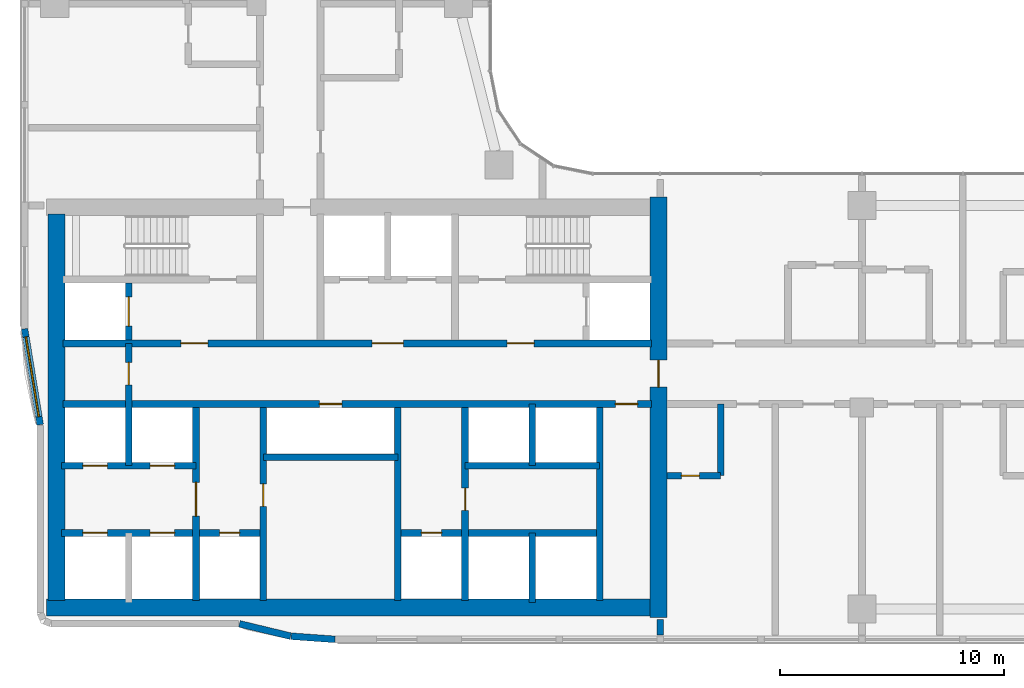
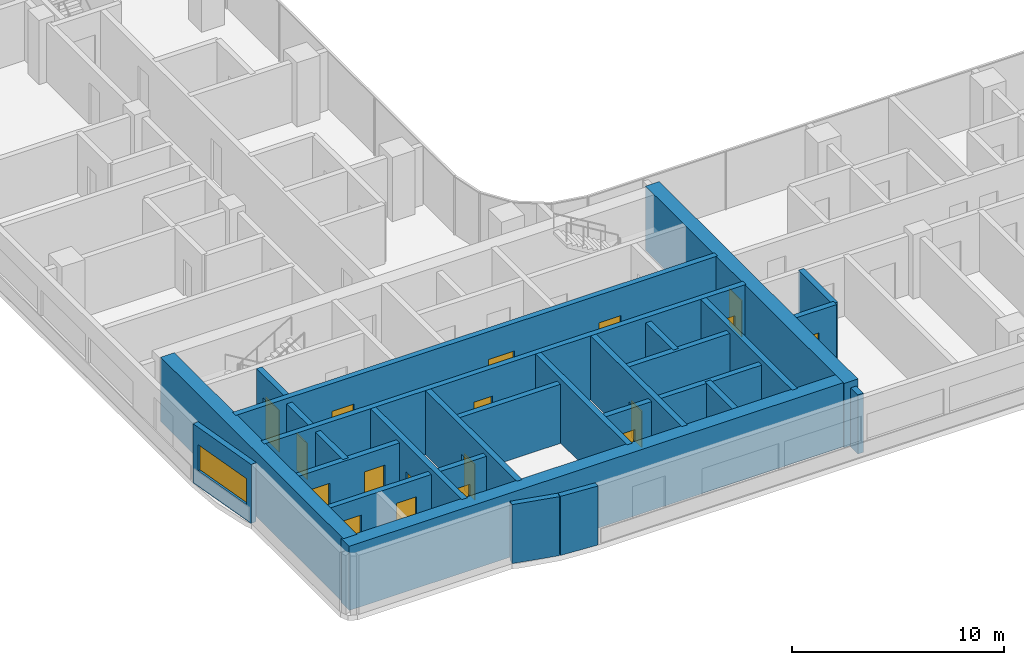
# One storey, part 9 of 22: 25 walls, 18 doors, 1 window, 19 openings.
"""IFC4 building model written with IfcOpenShell, lengths in metres."""

from ifc_helpers import new_model, si_unit, direction, frame, frame_2d, origin, place, context, subcontext, project, spatial, rectangle, extrude, material, layer, layer_set, type_object, element, fill, save


model = new_model("IFC4")

# Units and contexts
model_context = context("Model", 3, precision=1e-05, world=origin(), true_north=direction((0.0, 1.0)))
body_context = subcontext(model_context, "Body", "Model", "MODEL_VIEW")
ifc_project = project(units=[si_unit("LENGTHUNIT", "METRE"), si_unit("AREAUNIT", "SQUARE_METRE"), si_unit("VOLUMEUNIT", "CUBIC_METRE"), si_unit("PLANEANGLEUNIT", "RADIAN"), si_unit("MASSUNIT", "GRAM", prefix="KILO")], contexts=[model_context])

# Site, building, storey
site_placement = place(None, origin())
site = spatial("IfcSite", under=ifc_project, at=site_placement, CompositionType="ELEMENT")
building_placement = place(site_placement, origin())
building = spatial("IfcBuilding", under=site, at=building_placement, Name="Ogive Portal Towers", CompositionType="ELEMENT")
storey_placement = place(building_placement, frame((0.0, 0.0, 113.0)))
storey = spatial("IfcBuildingStorey", under=building, at=storey_placement, Name="L27", CompositionType="ELEMENT", Elevation=113.0)

# Wall, opening, door
ifc_material_1 = material(Name="Concrete C60/75", Category="concrete")
ifc_layer_1 = layer(ifc_material_1, 0.300048828125)
ifc_layer_set_1 = layer_set([ifc_layer_1], Name="CORE WALL 300 C60")
wall_type_1 = type_object("IfcWallType", Name="CORE WALL 300 C60", PredefinedType="SHEAR", material=ifc_layer_set_1)
wall_1_placement = place(storey_placement, frame((37.800048828125, 21.875, 0.0), z_axis=(0.0, 0.0, 1.0), x_axis=(0.0, 1.0, 0.0)))
wall_1 = element("IfcWall", 1, at=wall_1_placement, inside=storey, type_object=wall_type_1, Name="Core wall X1 L27", PredefinedType="SHEAR", context=body_context, shape_type="SweptSolid", body=[
    extrude(rectangle(XDim=8.625, YDim=0.300048828125, at=frame_2d((4.3125, 0.0))), origin(), (0.0, 0.0, 1.0), 3.699951171875),
])
opening_1_placement = place(wall_1_placement, frame((3.77490234375, 0.0, 0.0)))
opening_1 = element("IfcOpeningElement", 2, at=opening_1_placement, cuts=wall_1, Name="Opening D09-001", PredefinedType="OPENING", context=body_context, shape_type="SweptSolid", body=[
    extrude(rectangle(XDim=1.5, YDim=2.10009765625, at=frame_2d((0.75, 1.050048828125))), frame((0.0, 0.16015625, 0.0), z_axis=(0.0, -1.0, 0.0), x_axis=(1.0, 0.0, 0.0)), (0.0, 0.0, 1.0), 0.320068359375),
])
ifc_material_2 = material(Name="Steel fire door", Category="steel")
door_type_1 = type_object("IfcDoorType", Name="DT-SWING-1500x2100-FD90S", OperationType="SINGLE_SWING_LEFT", PredefinedType="DOOR", material=ifc_material_2)
door_1_placement = place(opening_1_placement, origin())
door_1 = element("IfcDoor", 3, at=door_1_placement, inside=storey, type_object=door_type_1, Name="Door D09-001", OperationType="SINGLE_SWING_LEFT", OverallHeight=2.10009765625, OverallWidth=1.5, PredefinedType="DOOR", context=body_context, shape_type="SweptSolid", body=[
    extrude(rectangle(XDim=1.5, YDim=2.10009765625, at=frame_2d((0.75, 1.050048828125))), frame((0.0, 0.02490234375, 0.0), z_axis=(0.0, -1.0, 0.0), x_axis=(1.0, 0.0, 0.0)), (0.0, 0.0, 1.0), 0.050048828125),
])
fill(opening_1, door_1)

wall_2_placement = place(storey_placement, frame((40.800048828125, 21.875, 0.0), z_axis=(0.0, 0.0, 1.0), x_axis=(0.0, 1.0, 0.0)))
wall_2 = element("IfcWall", 4, at=wall_2_placement, inside=storey, type_object=wall_type_1, Name="Core wall X2 L27", PredefinedType="SHEAR", context=body_context, shape_type="SweptSolid", body=[
    extrude(rectangle(XDim=8.625, YDim=0.300048828125, at=frame_2d((4.3125, 0.0))), origin(), (0.0, 0.0, 1.0), 3.699951171875),
])
opening_2_placement = place(wall_2_placement, frame((4.212890625, 0.0, 0.0)))
opening_2 = element("IfcOpeningElement", 5, at=opening_2_placement, cuts=wall_2, Name="Opening D09-021", PredefinedType="OPENING", context=body_context, shape_type="SweptSolid", body=[
    extrude(rectangle(XDim=1.0, YDim=2.10009765625, at=frame_2d((0.5, 1.050048828125))), frame((0.0, 0.16015625, 0.0), z_axis=(0.0, -1.0, 0.0), x_axis=(1.0, 0.0, 0.0)), (0.0, 0.0, 1.0), 0.320068359375),
])
door_type_2 = type_object("IfcDoorType", Name="DT-SWING-1000x2100-FD90S", OperationType="SINGLE_SWING_LEFT", PredefinedType="DOOR", material=ifc_material_2)
door_2_placement = place(opening_2_placement, origin())
door_2 = element("IfcDoor", 6, at=door_2_placement, inside=storey, type_object=door_type_2, Name="Door D09-021", OperationType="SINGLE_SWING_RIGHT", OverallHeight=2.10009765625, OverallWidth=1.0, PredefinedType="DOOR", context=body_context, shape_type="SweptSolid", body=[
    extrude(rectangle(XDim=1.0, YDim=2.10009765625, at=frame_2d((0.5, 1.050048828125))), frame((0.0, 0.02490234375, 0.0), z_axis=(0.0, -1.0, 0.0), x_axis=(1.0, 0.0, 0.0)), (0.0, 0.0, 1.0), 0.050048828125),
])
fill(opening_2, door_2)

# Wall
wall_3_placement = place(storey_placement, frame((46.800048828125, 21.875, 0.0), z_axis=(0.0, 0.0, 1.0), x_axis=(0.0, 1.0, 0.0)))
element("IfcWall", 7, at=wall_3_placement, inside=storey, type_object=wall_type_1, Name="Core wall X3 L27", PredefinedType="SHEAR", context=body_context, shape_type="SweptSolid", body=[
    extrude(rectangle(XDim=8.625, YDim=0.300048828125, at=frame_2d((4.3125, 0.0))), origin(), (0.0, 0.0, 1.0), 3.699951171875),
])

# Wall, opening, door
wall_4_placement = place(storey_placement, frame((49.800048828125, 21.875, 0.0), z_axis=(0.0, 0.0, 1.0), x_axis=(0.0, 1.0, 0.0)))
wall_4 = element("IfcWall", 8, at=wall_4_placement, inside=storey, type_object=wall_type_1, Name="Core wall X4 L27", PredefinedType="SHEAR", context=body_context, shape_type="SweptSolid", body=[
    extrude(rectangle(XDim=8.625, YDim=0.300048828125, at=frame_2d((4.3125, 0.0))), origin(), (0.0, 0.0, 1.0), 3.699951171875),
])
opening_3_placement = place(wall_4_placement, frame((4.02490234375, 0.0, 0.0)))
opening_3 = element("IfcOpeningElement", 9, at=opening_3_placement, cuts=wall_4, Name="Opening D09-022", PredefinedType="OPENING", context=body_context, shape_type="SweptSolid", body=[
    extrude(rectangle(XDim=1.0, YDim=2.10009765625, at=frame_2d((0.5, 1.050048828125))), frame((0.0, 0.16015625, 0.0), z_axis=(0.0, -1.0, 0.0), x_axis=(1.0, 0.0, 0.0)), (0.0, 0.0, 1.0), 0.320068359375),
])
door_3_placement = place(opening_3_placement, origin())
door_3 = element("IfcDoor", 10, at=door_3_placement, inside=storey, type_object=door_type_2, Name="Door D09-022", OperationType="SINGLE_SWING_LEFT", OverallHeight=2.10009765625, OverallWidth=1.0, PredefinedType="DOOR", context=body_context, shape_type="SweptSolid", body=[
    extrude(rectangle(XDim=1.0, YDim=2.10009765625, at=frame_2d((0.5, 1.050048828125))), frame((0.0, 0.02490234375, 0.0), z_axis=(0.0, -1.0, 0.0), x_axis=(1.0, 0.0, 0.0)), (0.0, 0.0, 1.0), 0.050048828125),
])
fill(opening_3, door_3)

# Wall
wall_5_placement = place(storey_placement, frame((55.800048828125, 21.875, 0.0), z_axis=(0.0, 0.0, 1.0), x_axis=(0.0, 1.0, 0.0)))
element("IfcWall", 11, at=wall_5_placement, inside=storey, type_object=wall_type_1, Name="Core wall X5 L27", PredefinedType="SHEAR", context=body_context, shape_type="SweptSolid", body=[
    extrude(rectangle(XDim=8.625, YDim=0.300048828125, at=frame_2d((4.3125, 0.0))), origin(), (0.0, 0.0, 1.0), 3.699951171875),
])

# Wall, openings, doors
wall_6_placement = place(storey_placement, frame((31.875, 30.64990234375, 0.0), z_axis=(0.0, 0.0, 1.0), x_axis=(1.0, 0.0, 0.0)))
wall_6 = element("IfcWall", 12, at=wall_6_placement, inside=storey, type_object=wall_type_1, Name="Core wall Y1 L27", PredefinedType="SHEAR", context=body_context, shape_type="SweptSolid", body=[
    extrude(rectangle(XDim=26.25, YDim=0.300048828125, at=frame_2d((13.125, 0.0))), origin(), (0.0, 0.0, 1.0), 3.699951171875),
])
opening_4_placement = place(wall_6_placement, frame((24.625, 0.0, 0.0)))
opening_4 = element("IfcOpeningElement", 13, at=opening_4_placement, cuts=wall_6, Name="Opening D09-009", PredefinedType="OPENING", context=body_context, shape_type="SweptSolid", body=[
    extrude(rectangle(XDim=1.0, YDim=2.10009765625, at=frame_2d((0.5, 1.050048828125))), frame((0.0, 0.16015625, 0.0), z_axis=(0.0, -1.0, 0.0), x_axis=(1.0, 0.0, 0.0)), (0.0, 0.0, 1.0), 0.320068359375),
])
opening_5_placement = place(wall_6_placement, frame((11.425048828125, 0.0, 0.0)))
opening_5 = element("IfcOpeningElement", 14, at=opening_5_placement, cuts=wall_6, Name="Opening D09-020", PredefinedType="OPENING", context=body_context, shape_type="SweptSolid", body=[
    extrude(rectangle(XDim=1.0, YDim=2.10009765625, at=frame_2d((0.5, 1.050048828125))), frame((0.0, 0.16015625, 0.0), z_axis=(0.0, -1.0, 0.0), x_axis=(1.0, 0.0, 0.0)), (0.0, 0.0, 1.0), 0.320068359375),
])
door_4_placement = place(opening_4_placement, origin())
door_4 = element("IfcDoor", 15, at=door_4_placement, inside=storey, type_object=door_type_2, Name="Door D09-009", OperationType="SINGLE_SWING_LEFT", OverallHeight=2.10009765625, OverallWidth=1.0, PredefinedType="DOOR", context=body_context, shape_type="SweptSolid", body=[
    extrude(rectangle(XDim=1.0, YDim=2.10009765625, at=frame_2d((0.5, 1.050048828125))), frame((0.0, 0.02490234375, 0.0), z_axis=(0.0, -1.0, 0.0), x_axis=(1.0, 0.0, 0.0)), (0.0, 0.0, 1.0), 0.050048828125),
])
fill(opening_4, door_4)
door_5_placement = place(opening_5_placement, origin())
door_5 = element("IfcDoor", 16, at=door_5_placement, inside=storey, type_object=door_type_2, Name="Riser access door D09-020", OperationType="SINGLE_SWING_LEFT", OverallHeight=2.10009765625, OverallWidth=1.0, PredefinedType="DOOR", context=body_context, shape_type="SweptSolid", body=[
    extrude(rectangle(XDim=1.0, YDim=2.10009765625, at=frame_2d((0.5, 1.050048828125))), frame((0.0, 0.02490234375, 0.0), z_axis=(0.0, -1.0, 0.0), x_axis=(1.0, 0.0, 0.0)), (0.0, 0.0, 1.0), 0.050048828125),
])
fill(opening_5, door_5)

wall_7_placement = place(storey_placement, frame((31.875, 33.35009765625, 0.0), z_axis=(0.0, 0.0, 1.0), x_axis=(1.0, 0.0, 0.0)))
wall_7 = element("IfcWall", 17, at=wall_7_placement, inside=storey, type_object=wall_type_1, Name="Core wall Y2 L27", PredefinedType="SHEAR", context=body_context, shape_type="SweptSolid", body=[
    extrude(rectangle(XDim=26.25, YDim=0.300048828125, at=frame_2d((13.125, 0.0))), origin(), (0.0, 0.0, 1.0), 3.699951171875),
])
opening_6_placement = place(wall_7_placement, frame((13.77490234375, 0.0, 0.0)))
opening_6 = element("IfcOpeningElement", 18, at=opening_6_placement, cuts=wall_7, Name="Opening D09-002", PredefinedType="OPENING", context=body_context, shape_type="SweptSolid", body=[
    extrude(rectangle(XDim=1.39990234375, YDim=2.10009765625, at=frame_2d((0.699951171875, 1.050048828125))), frame((0.0, 0.16015625, 0.0), z_axis=(0.0, -1.0, 0.0), x_axis=(1.0, 0.0, 0.0)), (0.0, 0.0, 1.0), 0.320068359375),
])
opening_7_placement = place(wall_7_placement, frame((5.25, 0.0, 0.0)))
opening_7 = element("IfcOpeningElement", 19, at=opening_7_placement, cuts=wall_7, Name="Opening D09-003", PredefinedType="OPENING", context=body_context, shape_type="SweptSolid", body=[
    extrude(rectangle(XDim=1.199951171875, YDim=2.10009765625, at=frame_2d((0.60009765625, 1.050048828125))), frame((0.0, 0.16015625, 0.0), z_axis=(0.0, -1.0, 0.0), x_axis=(1.0, 0.0, 0.0)), (0.0, 0.0, 1.0), 0.320068359375),
])
opening_8_placement = place(wall_7_placement, frame((19.800048828125, 0.0, 0.0)))
opening_8 = element("IfcOpeningElement", 20, at=opening_8_placement, cuts=wall_7, Name="Opening D09-004", PredefinedType="OPENING", context=body_context, shape_type="SweptSolid", body=[
    extrude(rectangle(XDim=1.199951171875, YDim=2.10009765625, at=frame_2d((0.60009765625, 1.050048828125))), frame((0.0, 0.16015625, 0.0), z_axis=(0.0, -1.0, 0.0), x_axis=(1.0, 0.0, 0.0)), (0.0, 0.0, 1.0), 0.320068359375),
])
door_type_3 = type_object("IfcDoorType", Name="DT-SWING-1200x2100-FD90S", OperationType="SINGLE_SWING_LEFT", PredefinedType="DOOR", material=ifc_material_2)
door_6_placement = place(opening_7_placement, origin())
door_6 = element("IfcDoor", 21, at=door_6_placement, inside=storey, type_object=door_type_3, Name="Door D09-003", OperationType="SINGLE_SWING_LEFT", OverallHeight=2.10009765625, OverallWidth=1.199951171875, PredefinedType="DOOR", context=body_context, shape_type="SweptSolid", body=[
    extrude(rectangle(XDim=1.199951171875, YDim=2.10009765625, at=frame_2d((0.60009765625, 1.050048828125))), frame((0.0, 0.02490234375, 0.0), z_axis=(0.0, -1.0, 0.0), x_axis=(1.0, 0.0, 0.0)), (0.0, 0.0, 1.0), 0.050048828125),
])
fill(opening_7, door_6)
door_7_placement = place(opening_8_placement, origin())
door_7 = element("IfcDoor", 22, at=door_7_placement, inside=storey, type_object=door_type_3, Name="Door D09-004", OperationType="SINGLE_SWING_RIGHT", OverallHeight=2.10009765625, OverallWidth=1.199951171875, PredefinedType="DOOR", context=body_context, shape_type="SweptSolid", body=[
    extrude(rectangle(XDim=1.199951171875, YDim=2.10009765625, at=frame_2d((0.60009765625, 1.050048828125))), frame((0.0, 0.02490234375, 0.0), z_axis=(0.0, -1.0, 0.0), x_axis=(1.0, 0.0, 0.0)), (0.0, 0.0, 1.0), 0.050048828125),
])
fill(opening_8, door_7)
door_type_4 = type_object("IfcDoorType", Name="DT-SWING-1400x2100-FD90S", OperationType="SINGLE_SWING_LEFT", PredefinedType="DOOR", material=ifc_material_2)
door_8_placement = place(opening_6_placement, origin())
door_8 = element("IfcDoor", 23, at=door_8_placement, inside=storey, type_object=door_type_4, Name="Door D09-002", OperationType="SINGLE_SWING_RIGHT", OverallHeight=2.10009765625, OverallWidth=1.39990234375, PredefinedType="DOOR", context=body_context, shape_type="SweptSolid", body=[
    extrude(rectangle(XDim=1.39990234375, YDim=2.10009765625, at=frame_2d((0.699951171875, 1.050048828125))), frame((0.0, 0.02490234375, 0.0), z_axis=(0.0, -1.0, 0.0), x_axis=(1.0, 0.0, 0.0)), (0.0, 0.0, 1.0), 0.050048828125),
])
fill(opening_6, door_8)

# Wall, opening, door
wall_8_placement = place(storey_placement, frame((34.800048828125, 33.5, 0.0), z_axis=(0.0, 0.0, 1.0), x_axis=(0.0, 1.0, 0.0)))
wall_8 = element("IfcWall", 24, at=wall_8_placement, inside=storey, type_object=wall_type_1, Name="Core wall X8 L27", PredefinedType="SHEAR", context=body_context, shape_type="SweptSolid", body=[
    extrude(rectangle(XDim=2.550048828125, YDim=0.300048828125, at=frame_2d((1.27490234375, 0.0))), origin(), (0.0, 0.0, 1.0), 3.699951171875),
])
opening_9_placement = place(wall_8_placement, frame((0.625, 0.0, 0.0)))
opening_9 = element("IfcOpeningElement", 25, at=opening_9_placement, cuts=wall_8, Name="Opening D09-018", PredefinedType="OPENING", context=body_context, shape_type="SweptSolid", body=[
    extrude(rectangle(XDim=1.300048828125, YDim=2.39990234375, at=frame_2d((0.64990234375, 1.199951171875))), frame((0.0, 0.16015625, 0.0), z_axis=(0.0, -1.0, 0.0), x_axis=(1.0, 0.0, 0.0)), (0.0, 0.0, 1.0), 0.320068359375),
])
ifc_material_3 = material(Name="Stainless steel", Category="steel")
door_type_5 = type_object("IfcDoorType", Name="DT-LD-1300x2400", OperationType="SLIDING_TO_LEFT", PredefinedType="DOOR", material=ifc_material_3)
door_9_placement = place(opening_9_placement, origin())
door_9 = element("IfcDoor", 26, at=door_9_placement, inside=storey, type_object=door_type_5, Name="Door D09-018", OperationType="SLIDING_TO_LEFT", OverallHeight=2.39990234375, OverallWidth=1.300048828125, PredefinedType="DOOR", context=body_context, shape_type="SweptSolid", body=[
    extrude(rectangle(XDim=1.300048828125, YDim=2.39990234375, at=frame_2d((0.64990234375, 1.199951171875))), frame((0.0, 0.02490234375, 0.0), z_axis=(0.0, -1.0, 0.0), x_axis=(1.0, 0.0, 0.0)), (0.0, 0.0, 1.0), 0.050048828125),
])
fill(opening_9, door_9)

# Walls
ifc_layer_2 = layer(ifc_material_1, 0.75)
ifc_layer_set_2 = layer_set([ifc_layer_2], Name="CORE WALL 750 C60")
wall_type_2 = type_object("IfcWallType", Name="CORE WALL 750 C60", PredefinedType="SHEAR", material=ifc_layer_set_2)
wall_9_placement = place(storey_placement, frame((31.574951171875, 21.875, 0.0), z_axis=(0.0, 0.0, 1.0), x_axis=(0.0, 1.0, 0.0)))
element("IfcWall", 27, at=wall_9_placement, inside=storey, type_object=wall_type_2, Name="Core wall W L27", PredefinedType="SHEAR", context=body_context, shape_type="SweptSolid", body=[
    extrude(rectangle(XDim=17.25, YDim=0.75, at=frame_2d((8.625, 0.0))), origin(), (0.0, 0.0, 1.0), 3.699951171875),
])
wall_10_placement = place(storey_placement, frame((31.125, 21.574951171875, 0.0), z_axis=(0.0, 0.0, 1.0), x_axis=(1.0, 0.0, 0.0)))
element("IfcWall", 28, at=wall_10_placement, inside=storey, type_object=wall_type_2, Name="Core wall S L27", PredefinedType="SHEAR", context=body_context, shape_type="SweptSolid", body=[
    extrude(rectangle(XDim=27.0, YDim=0.75, at=frame_2d((13.5, 0.0))), origin(), (0.0, 0.0, 1.0), 3.699951171875),
])

# Wall, opening, door
wall_11_placement = place(storey_placement, frame((58.425048828125, 21.125, 0.0), z_axis=(0.0, 0.0, 1.0), x_axis=(0.0, 1.0, 0.0)))
wall_11 = element("IfcWall", 29, at=wall_11_placement, inside=storey, type_object=wall_type_2, Name="Core wall E L27", PredefinedType="SHEAR", context=body_context, shape_type="SweptSolid", body=[
    extrude(rectangle(XDim=18.75, YDim=0.75, at=frame_2d((9.375, 0.0))), origin(), (0.0, 0.0, 1.0), 3.699951171875),
])
opening_10_placement = place(wall_11_placement, frame((10.27490234375, 0.0, 0.0)))
opening_10 = element("IfcOpeningElement", 30, at=opening_10_placement, cuts=wall_11, Name="Opening D09-010", PredefinedType="OPENING", context=body_context, shape_type="SweptSolid", body=[
    extrude(rectangle(XDim=1.199951171875, YDim=2.10009765625, at=frame_2d((0.60009765625, 1.050048828125))), frame((0.0, 0.385009765625, 0.0), z_axis=(0.0, -1.0, 0.0), x_axis=(1.0, 0.0, 0.0)), (0.0, 0.0, 1.0), 0.77001953125),
])
door_10_placement = place(opening_10_placement, origin())
door_10 = element("IfcDoor", 31, at=door_10_placement, inside=storey, type_object=door_type_3, Name="Door D09-010", OperationType="SINGLE_SWING_LEFT", OverallHeight=2.10009765625, OverallWidth=1.199951171875, PredefinedType="DOOR", context=body_context, shape_type="SweptSolid", body=[
    extrude(rectangle(XDim=1.199951171875, YDim=2.10009765625, at=frame_2d((0.60009765625, 1.050048828125))), frame((0.0, 0.02490234375, 0.0), z_axis=(0.0, -1.0, 0.0), x_axis=(1.0, 0.0, 0.0)), (0.0, 0.0, 1.0), 0.050048828125),
])
fill(opening_10, door_10)

# Walls
ifc_material_4 = material(Name="Limestone cladding on lightweight block wall", Category="masonry")
ifc_layer_3 = layer(ifc_material_4, 0.300048828125)
ifc_layer_set_3 = layer_set([ifc_layer_3], Name="EXTERNAL WALL 300 STONE")
wall_type_3 = type_object("IfcWallType", Name="EXTERNAL WALL 300 STONE", PredefinedType="SOLIDWALL", material=ifc_layer_set_3)
wall_12_placement = place(storey_placement, frame((39.734619140625, 20.845703125, 0.0), z_axis=(0.0, 0.0, 1.0), x_axis=(0.97206095595, -0.234728562212, 0.0)))
element("IfcWall", 32, at=wall_12_placement, inside=storey, type_object=wall_type_3, Name="A:L27:f04:r0:wall", PredefinedType="SOLIDWALL", context=body_context, shape_type="SweptSolid", body=[
    extrude(rectangle(XDim=2.349609375, YDim=0.300048828125, at=frame_2d((1.1748046875, 0.0))), origin(), (0.0, 0.0, 1.0), 3.39990234375),
])
wall_13_placement = place(storey_placement, frame((42.043212890625, 20.290283203125, 0.0), z_axis=(0.0, 0.0, 1.0), x_axis=(0.997454275884, -0.071308958214, 0.0)))
element("IfcWall", 33, at=wall_13_placement, inside=storey, type_object=wall_type_3, Name="A:L27:f05:r0:wall", PredefinedType="SOLIDWALL", context=body_context, shape_type="SweptSolid", body=[
    extrude(rectangle(XDim=1.961669921875, YDim=0.300048828125, at=frame_2d((0.98095703125, 0.0))), origin(), (0.0, 0.0, 1.0), 3.39990234375),
])

# Wall, opening, window
wall_14_placement = place(storey_placement, frame((30.15185546875, 34.000244140625, 0.0), z_axis=(0.0, 0.0, 1.0), x_axis=(0.160697303067, -0.987003736967, 0.0)))
wall_14 = element("IfcWall", 34, at=wall_14_placement, inside=storey, type_object=wall_type_3, Name="A:L27:f25:r0:wall", PredefinedType="SOLIDWALL", context=body_context, shape_type="SweptSolid", body=[
    extrude(rectangle(XDim=4.3330078125, YDim=0.300048828125, at=frame_2d((2.16650390625, 0.0))), origin(), (0.0, 0.0, 1.0), 3.39990234375),
])
opening_11_placement = place(wall_14_placement, frame((0.366455078125, 0.0, 0.89990234375)))
opening_11 = element("IfcOpeningElement", 35, at=opening_11_placement, cuts=wall_14, Name="Opening WN12", PredefinedType="OPENING", context=body_context, shape_type="SweptSolid", body=[
    extrude(rectangle(XDim=3.60009765625, YDim=1.5, at=frame_2d((1.800048828125, 0.75))), frame((0.0, 0.16015625, 0.0), z_axis=(0.0, -1.0, 0.0), x_axis=(1.0, 0.0, 0.0)), (0.0, 0.0, 1.0), 0.320068359375),
])
ifc_material_5 = material(Name="Glass, clear low-iron insulated glazing", Category="glass")
window_type = type_object("IfcWindowType", Name="WINDOW RIBBON 3600x1500", PartitioningType="TRIPLE_PANEL_VERTICAL", PredefinedType="WINDOW", material=ifc_material_5)
window_placement = place(opening_11_placement, origin())
window = element("IfcWindow", 36, at=window_placement, inside=storey, type_object=window_type, Name="A:L27:f25:r0:w0", OverallHeight=1.5, OverallWidth=3.60009765625, PartitioningType="SINGLE_PANEL", PredefinedType="WINDOW", context=body_context, shape_type="SweptSolid", body=[
    extrude(rectangle(XDim=3.60009765625, YDim=1.5, at=frame_2d((1.800048828125, 0.75))), frame((0.0, 0.030029296875, 0.0), z_axis=(0.0, -1.0, 0.0), x_axis=(1.0, 0.0, 0.0)), (0.0, 0.0, 1.0), 0.06005859375),
])
fill(opening_11, window)

# Wall
ifc_material_6 = material(Name="Gypsum board partition on steel studs", Category="steel")
ifc_layer_4 = layer(ifc_material_6, 0.300048828125)
ifc_layer_set_4 = layer_set([ifc_layer_4], Name="WT-PART-300")
wall_type_4 = type_object("IfcWallType", Name="WT-PART-300", PredefinedType="PARTITIONING", material=ifc_layer_set_4)
wall_15_placement = place(storey_placement, frame((40.800048828125, 28.277099609375, 0.0), z_axis=(0.0, 0.0, 1.0), x_axis=(1.0, 0.0, 0.0)))
element("IfcWall", 37, at=wall_15_placement, inside=storey, type_object=wall_type_4, Name="Wall pw:005:L27", PredefinedType="PARTITIONING", context=body_context, shape_type="SweptSolid", body=[
    extrude(rectangle(XDim=6.0, YDim=0.300048828125, at=frame_2d((3.0, 0.0))), origin(), (0.0, 0.0, 1.0), 3.39990234375),
])

# Wall, opening, door
ifc_layer_5 = layer(ifc_material_6, 0.300048828125)
ifc_layer_set_5 = layer_set([ifc_layer_5], Name="WT-PART-300-EI 60")
wall_type_5 = type_object("IfcWallType", Name="WT-PART-300-EI 60", PredefinedType="PARTITIONING", material=ifc_layer_set_5)
wall_16_placement = place(storey_placement, frame((58.800048828125, 27.449951171875, 0.0), z_axis=(0.0, 0.0, 1.0), x_axis=(1.0, 0.0, 0.0)))
wall_16 = element("IfcWall", 38, at=wall_16_placement, inside=storey, type_object=wall_type_5, Name="Wall L27:w004", PredefinedType="PARTITIONING", context=body_context, shape_type="SweptSolid", body=[
    extrude(rectangle(XDim=2.39990234375, YDim=0.300048828125, at=frame_2d((1.199951171875, 0.0))), origin(), (0.0, 0.0, 1.0), 3.39990234375),
])
opening_12_placement = place(wall_16_placement, frame((0.64990234375, 0.0, 0.0)))
opening_12 = element("IfcOpeningElement", 39, at=opening_12_placement, cuts=wall_16, Name="Opening D09-026", PredefinedType="OPENING", context=body_context, shape_type="SweptSolid", body=[
    extrude(rectangle(XDim=0.800048828125, YDim=2.10009765625, at=frame_2d((0.39990234375, 1.050048828125))), frame((0.0, 0.16015625, 0.0), z_axis=(0.0, -1.0, 0.0), x_axis=(1.0, 0.0, 0.0)), (0.0, 0.0, 1.0), 0.320068359375),
])
door_type_6 = type_object("IfcDoorType", Name="DT-BATH-800x2100-FD60S", OperationType="SINGLE_SWING_LEFT", PredefinedType="DOOR", material=ifc_material_2)
door_11_placement = place(opening_12_placement, origin())
door_11 = element("IfcDoor", 40, at=door_11_placement, inside=storey, type_object=door_type_6, Name="Door D09-026", OperationType="SINGLE_SWING_LEFT", OverallHeight=2.10009765625, OverallWidth=0.800048828125, PredefinedType="DOOR", context=body_context, shape_type="SweptSolid", body=[
    extrude(rectangle(XDim=0.800048828125, YDim=2.10009765625, at=frame_2d((0.39990234375, 1.050048828125))), frame((0.0, 0.02490234375, 0.0), z_axis=(0.0, -1.0, 0.0), x_axis=(1.0, 0.0, 0.0)), (0.0, 0.0, 1.0), 0.050048828125),
])
fill(opening_12, door_11)

# Walls
wall_17_placement = place(storey_placement, frame((58.5, 20.35009765625, 0.0), z_axis=(0.0, 0.0, 1.0), x_axis=(0.0, 1.0, 0.0)))
element("IfcWall", 41, at=wall_17_placement, inside=storey, type_object=wall_type_5, Name="Wall L27:w044", PredefinedType="PARTITIONING", context=body_context, shape_type="SweptSolid", body=[
    extrude(rectangle(XDim=0.679931640625, YDim=0.300048828125, at=frame_2d((0.33984375, 0.0))), origin(), (0.0, 0.0, 1.0), 3.39990234375),
])
wall_18_placement = place(storey_placement, frame((61.199951171875, 27.449951171875, 0.0), z_axis=(0.0, 0.0, 1.0), x_axis=(0.0, 1.0, 0.0)))
element("IfcWall", 42, at=wall_18_placement, inside=storey, type_object=wall_type_5, Name="Wall L27:w046", PredefinedType="PARTITIONING", context=body_context, shape_type="SweptSolid", body=[
    extrude(rectangle(XDim=3.199951171875, YDim=0.300048828125, at=frame_2d((1.60009765625, 0.0))), origin(), (0.0, 0.0, 1.0), 3.39990234375),
])

# Wall, openings, doors
ifc_material_7 = material(Name="Concrete C40/50", Category="concrete")
ifc_layer_6 = layer(ifc_material_7, 0.300048828125)
ifc_layer_set_6 = layer_set([ifc_layer_6], Name="WT-SHAFT-300")
wall_type_6 = type_object("IfcWallType", Name="WT-SHAFT-300", PredefinedType="SOLIDWALL", material=ifc_layer_set_6)
wall_19_placement = place(storey_placement, frame((31.800048828125, 24.89990234375, 0.0), z_axis=(0.0, 0.0, 1.0), x_axis=(1.0, 0.0, 0.0)))
wall_19 = element("IfcWall", 43, at=wall_19_placement, inside=storey, type_object=wall_type_6, Name="Wall pw:001:L27", PredefinedType="SOLIDWALL", context=body_context, shape_type="SweptSolid", body=[
    extrude(rectangle(XDim=9.0, YDim=0.300048828125, at=frame_2d((4.5, 0.0))), origin(), (0.0, 0.0, 1.0), 3.39990234375),
])
opening_13_placement = place(wall_19_placement, frame((7.050048828125, 0.0, 0.0)))
opening_13 = element("IfcOpeningElement", 44, at=opening_13_placement, cuts=wall_19, Name="Opening D09-007", PredefinedType="OPENING", context=body_context, shape_type="SweptSolid", body=[
    extrude(rectangle(XDim=0.89990234375, YDim=2.10009765625, at=frame_2d((0.449951171875, 1.050048828125))), frame((0.0, 0.16015625, 0.0), z_axis=(0.0, -1.0, 0.0), x_axis=(1.0, 0.0, 0.0)), (0.0, 0.0, 1.0), 0.320068359375),
])
opening_14_placement = place(wall_19_placement, frame((0.949951171875, 0.0, 0.0)))
opening_14 = element("IfcOpeningElement", 45, at=opening_14_placement, cuts=wall_19, Name="Opening D09-012", PredefinedType="OPENING", context=body_context, shape_type="SweptSolid", body=[
    extrude(rectangle(XDim=1.10009765625, YDim=2.39990234375, at=frame_2d((0.550048828125, 1.199951171875))), frame((0.0, 0.16015625, 0.0), z_axis=(0.0, -1.0, 0.0), x_axis=(1.0, 0.0, 0.0)), (0.0, 0.0, 1.0), 0.320068359375),
])
opening_15_placement = place(wall_19_placement, frame((3.949951171875, 0.0, 0.0)))
opening_15 = element("IfcOpeningElement", 46, at=opening_15_placement, cuts=wall_19, Name="Opening D09-013", PredefinedType="OPENING", context=body_context, shape_type="SweptSolid", body=[
    extrude(rectangle(XDim=1.10009765625, YDim=2.39990234375, at=frame_2d((0.550048828125, 1.199951171875))), frame((0.0, 0.16015625, 0.0), z_axis=(0.0, -1.0, 0.0), x_axis=(1.0, 0.0, 0.0)), (0.0, 0.0, 1.0), 0.320068359375),
])
door_type_7 = type_object("IfcDoorType", Name="DT-LD-1100x2400", OperationType="SLIDING_TO_LEFT", PredefinedType="DOOR", material=ifc_material_3)
door_12_placement = place(opening_14_placement, origin())
door_12 = element("IfcDoor", 47, at=door_12_placement, inside=storey, type_object=door_type_7, Name="Door D09-012", OperationType="SLIDING_TO_LEFT", OverallHeight=2.39990234375, OverallWidth=1.10009765625, PredefinedType="DOOR", context=body_context, shape_type="SweptSolid", body=[
    extrude(rectangle(XDim=1.10009765625, YDim=2.39990234375, at=frame_2d((0.550048828125, 1.199951171875))), frame((0.0, 0.02490234375, 0.0), z_axis=(0.0, -1.0, 0.0), x_axis=(1.0, 0.0, 0.0)), (0.0, 0.0, 1.0), 0.050048828125),
])
fill(opening_14, door_12)
door_13_placement = place(opening_15_placement, origin())
door_13 = element("IfcDoor", 48, at=door_13_placement, inside=storey, type_object=door_type_7, Name="Door D09-013", OperationType="SLIDING_TO_LEFT", OverallHeight=2.39990234375, OverallWidth=1.10009765625, PredefinedType="DOOR", context=body_context, shape_type="SweptSolid", body=[
    extrude(rectangle(XDim=1.10009765625, YDim=2.39990234375, at=frame_2d((0.550048828125, 1.199951171875))), frame((0.0, 0.02490234375, 0.0), z_axis=(0.0, -1.0, 0.0), x_axis=(1.0, 0.0, 0.0)), (0.0, 0.0, 1.0), 0.050048828125),
])
fill(opening_15, door_13)
door_type_8 = type_object("IfcDoorType", Name="DT-SWING-900x2100-FD90S", OperationType="SINGLE_SWING_LEFT", PredefinedType="DOOR", material=ifc_material_2)
door_14_placement = place(opening_13_placement, origin())
door_14 = element("IfcDoor", 49, at=door_14_placement, inside=storey, type_object=door_type_8, Name="Riser access door D09-007", OperationType="SINGLE_SWING_LEFT", OverallHeight=2.10009765625, OverallWidth=0.89990234375, PredefinedType="DOOR", context=body_context, shape_type="SweptSolid", body=[
    extrude(rectangle(XDim=0.89990234375, YDim=2.10009765625, at=frame_2d((0.449951171875, 1.050048828125))), frame((0.0, 0.02490234375, 0.0), z_axis=(0.0, -1.0, 0.0), x_axis=(1.0, 0.0, 0.0)), (0.0, 0.0, 1.0), 0.050048828125),
])
fill(opening_13, door_14)

# Wall, opening, door
wall_20_placement = place(storey_placement, frame((46.800048828125, 24.89990234375, 0.0), z_axis=(0.0, 0.0, 1.0), x_axis=(1.0, 0.0, 0.0)))
wall_20 = element("IfcWall", 50, at=wall_20_placement, inside=storey, type_object=wall_type_6, Name="Wall pw:002:L27", PredefinedType="SOLIDWALL", context=body_context, shape_type="SweptSolid", body=[
    extrude(rectangle(XDim=9.0, YDim=0.300048828125, at=frame_2d((4.5, 0.0))), origin(), (0.0, 0.0, 1.0), 3.39990234375),
])
opening_16_placement = place(wall_20_placement, frame((1.050048828125, 0.0, 0.0)))
opening_16 = element("IfcOpeningElement", 51, at=opening_16_placement, cuts=wall_20, Name="Opening D09-008", PredefinedType="OPENING", context=body_context, shape_type="SweptSolid", body=[
    extrude(rectangle(XDim=0.89990234375, YDim=2.10009765625, at=frame_2d((0.449951171875, 1.050048828125))), frame((0.0, 0.16015625, 0.0), z_axis=(0.0, -1.0, 0.0), x_axis=(1.0, 0.0, 0.0)), (0.0, 0.0, 1.0), 0.320068359375),
])
door_15_placement = place(opening_16_placement, origin())
door_15 = element("IfcDoor", 52, at=door_15_placement, inside=storey, type_object=door_type_8, Name="Riser access door D09-008", OperationType="SINGLE_SWING_RIGHT", OverallHeight=2.10009765625, OverallWidth=0.89990234375, PredefinedType="DOOR", context=body_context, shape_type="SweptSolid", body=[
    extrude(rectangle(XDim=0.89990234375, YDim=2.10009765625, at=frame_2d((0.449951171875, 1.050048828125))), frame((0.0, 0.02490234375, 0.0), z_axis=(0.0, -1.0, 0.0), x_axis=(1.0, 0.0, 0.0)), (0.0, 0.0, 1.0), 0.050048828125),
])
fill(opening_16, door_15)

# Wall, openings, doors
wall_21_placement = place(storey_placement, frame((31.800048828125, 27.89990234375, 0.0), z_axis=(0.0, 0.0, 1.0), x_axis=(1.0, 0.0, 0.0)))
wall_21 = element("IfcWall", 53, at=wall_21_placement, inside=storey, type_object=wall_type_6, Name="Wall pw:003:L27", PredefinedType="SOLIDWALL", context=body_context, shape_type="SweptSolid", body=[
    extrude(rectangle(XDim=6.0, YDim=0.300048828125, at=frame_2d((3.0, 0.0))), origin(), (0.0, 0.0, 1.0), 3.39990234375),
])
opening_17_placement = place(wall_21_placement, frame((0.949951171875, 0.0, 0.0)))
opening_17 = element("IfcOpeningElement", 54, at=opening_17_placement, cuts=wall_21, Name="Opening D09-014", PredefinedType="OPENING", context=body_context, shape_type="SweptSolid", body=[
    extrude(rectangle(XDim=1.10009765625, YDim=2.39990234375, at=frame_2d((0.550048828125, 1.199951171875))), frame((0.0, 0.16015625, 0.0), z_axis=(0.0, -1.0, 0.0), x_axis=(1.0, 0.0, 0.0)), (0.0, 0.0, 1.0), 0.320068359375),
])
opening_18_placement = place(wall_21_placement, frame((3.949951171875, 0.0, 0.0)))
opening_18 = element("IfcOpeningElement", 55, at=opening_18_placement, cuts=wall_21, Name="Opening D09-015", PredefinedType="OPENING", context=body_context, shape_type="SweptSolid", body=[
    extrude(rectangle(XDim=1.10009765625, YDim=2.39990234375, at=frame_2d((0.550048828125, 1.199951171875))), frame((0.0, 0.16015625, 0.0), z_axis=(0.0, -1.0, 0.0), x_axis=(1.0, 0.0, 0.0)), (0.0, 0.0, 1.0), 0.320068359375),
])
door_16_placement = place(opening_17_placement, origin())
door_16 = element("IfcDoor", 56, at=door_16_placement, inside=storey, type_object=door_type_7, Name="Door D09-014", OperationType="SLIDING_TO_LEFT", OverallHeight=2.39990234375, OverallWidth=1.10009765625, PredefinedType="DOOR", context=body_context, shape_type="SweptSolid", body=[
    extrude(rectangle(XDim=1.10009765625, YDim=2.39990234375, at=frame_2d((0.550048828125, 1.199951171875))), frame((0.0, 0.02490234375, 0.0), z_axis=(0.0, -1.0, 0.0), x_axis=(1.0, 0.0, 0.0)), (0.0, 0.0, 1.0), 0.050048828125),
])
fill(opening_17, door_16)
door_17_placement = place(opening_18_placement, origin())
door_17 = element("IfcDoor", 57, at=door_17_placement, inside=storey, type_object=door_type_7, Name="Door D09-015", OperationType="SLIDING_TO_LEFT", OverallHeight=2.39990234375, OverallWidth=1.10009765625, PredefinedType="DOOR", context=body_context, shape_type="SweptSolid", body=[
    extrude(rectangle(XDim=1.10009765625, YDim=2.39990234375, at=frame_2d((0.550048828125, 1.199951171875))), frame((0.0, 0.02490234375, 0.0), z_axis=(0.0, -1.0, 0.0), x_axis=(1.0, 0.0, 0.0)), (0.0, 0.0, 1.0), 0.050048828125),
])
fill(opening_18, door_17)

# Wall
wall_22_placement = place(storey_placement, frame((49.800048828125, 27.89990234375, 0.0), z_axis=(0.0, 0.0, 1.0), x_axis=(1.0, 0.0, 0.0)))
element("IfcWall", 58, at=wall_22_placement, inside=storey, type_object=wall_type_6, Name="Wall pw:004:L27", PredefinedType="SOLIDWALL", context=body_context, shape_type="SweptSolid", body=[
    extrude(rectangle(XDim=6.0, YDim=0.300048828125, at=frame_2d((3.0, 0.0))), origin(), (0.0, 0.0, 1.0), 3.39990234375),
])

# Wall, opening, door
wall_23_placement = place(storey_placement, frame((34.800048828125, 27.89990234375, 0.0), z_axis=(0.0, 0.0, 1.0), x_axis=(0.0, 1.0, 0.0)))
wall_23 = element("IfcWall", 59, at=wall_23_placement, inside=storey, type_object=wall_type_6, Name="Wall pw:007:L27", PredefinedType="SOLIDWALL", context=body_context, shape_type="SweptSolid", body=[
    extrude(rectangle(XDim=5.4501953125, YDim=0.300048828125, at=frame_2d((2.72509765625, 0.0))), origin(), (0.0, 0.0, 1.0), 3.39990234375),
])
opening_19_placement = place(wall_23_placement, frame((3.60009765625, 0.0, 0.0)))
opening_19 = element("IfcOpeningElement", 60, at=opening_19_placement, cuts=wall_23, Name="Opening D09-023", PredefinedType="OPENING", context=body_context, shape_type="SweptSolid", body=[
    extrude(rectangle(XDim=1.0, YDim=2.10009765625, at=frame_2d((0.5, 1.050048828125))), frame((0.0, 0.16015625, 0.0), z_axis=(0.0, -1.0, 0.0), x_axis=(1.0, 0.0, 0.0)), (0.0, 0.0, 1.0), 0.320068359375),
])
door_18_placement = place(opening_19_placement, origin())
door_18 = element("IfcDoor", 61, at=door_18_placement, inside=storey, type_object=door_type_2, Name="Door D09-023", OperationType="SINGLE_SWING_RIGHT", OverallHeight=2.10009765625, OverallWidth=1.0, PredefinedType="DOOR", context=body_context, shape_type="SweptSolid", body=[
    extrude(rectangle(XDim=1.0, YDim=2.10009765625, at=frame_2d((0.5, 1.050048828125))), frame((0.0, 0.02490234375, 0.0), z_axis=(0.0, -1.0, 0.0), x_axis=(1.0, 0.0, 0.0)), (0.0, 0.0, 1.0), 0.050048828125),
])
fill(opening_19, door_18)

# Walls
wall_24_placement = place(storey_placement, frame((52.800048828125, 21.800048828125, 0.0), z_axis=(0.0, 0.0, 1.0), x_axis=(0.0, 1.0, 0.0)))
element("IfcWall", 62, at=wall_24_placement, inside=storey, type_object=wall_type_6, Name="Wall pw:009:L27", PredefinedType="SOLIDWALL", context=body_context, shape_type="SweptSolid", body=[
    extrude(rectangle(XDim=3.099853515625, YDim=0.300048828125, at=frame_2d((1.5498046875, 0.0))), origin(), (0.0, 0.0, 1.0), 3.39990234375),
])
wall_25_placement = place(storey_placement, frame((52.800048828125, 27.89990234375, 0.0), z_axis=(0.0, 0.0, 1.0), x_axis=(0.0, 1.0, 0.0)))
element("IfcWall", 63, at=wall_25_placement, inside=storey, type_object=wall_type_6, Name="Wall pw:010:L27", PredefinedType="SOLIDWALL", context=body_context, shape_type="SweptSolid", body=[
    extrude(rectangle(XDim=2.75, YDim=0.300048828125, at=frame_2d((1.375, 0.0))), origin(), (0.0, 0.0, 1.0), 3.39990234375),
])

save(model, "model.ifc")
